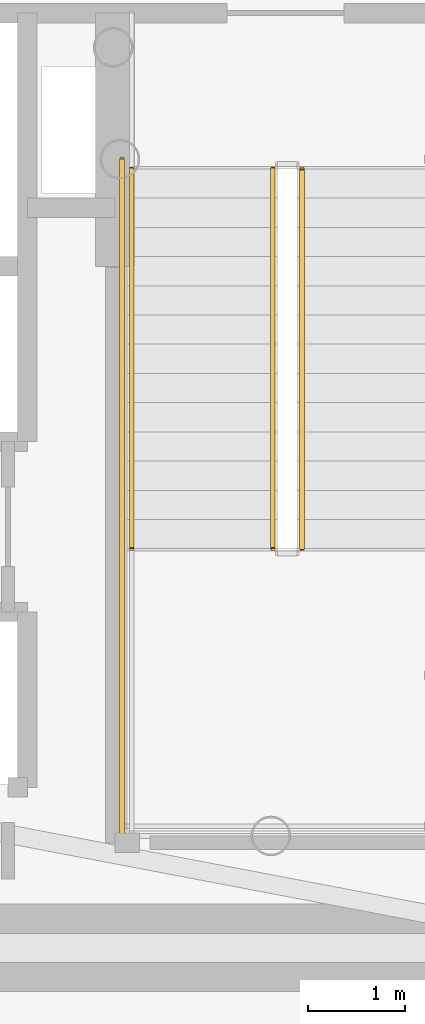
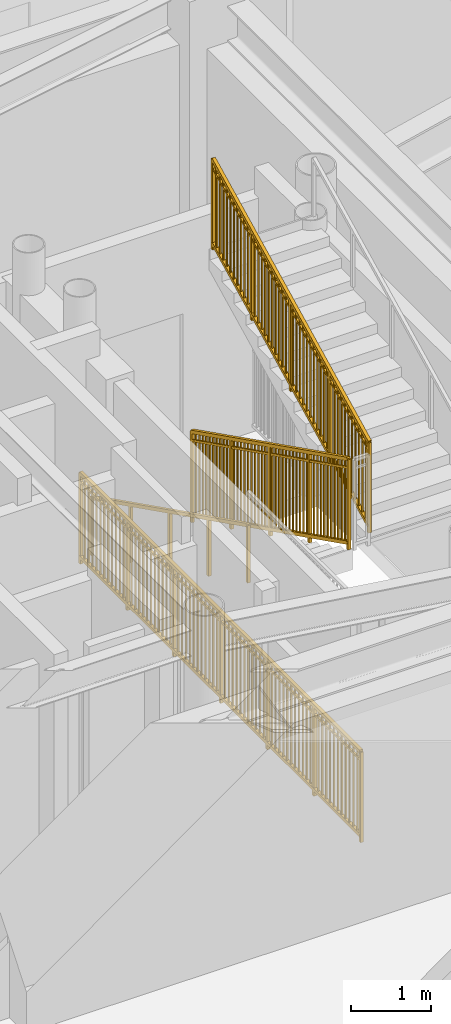
# One storey, part 22 of 24: 4 railings.
"""IFC4 building model written with IfcOpenShell, lengths in metres."""

from ifc_helpers import new_model, si_unit, direction, frame, origin, origin_2d, place, context, subcontext, project, spatial, rectangle, extrude, source, transform, mapped, material, type_object, element, save


model = new_model("IFC4")

# Units and contexts
model_context = context("Model", 3, precision=1e-05, world=origin(), true_north=direction((0.0, 1.0)))
body_context = subcontext(model_context, "Body", "Model", "MODEL_VIEW")
ifc_project = project(units=[si_unit("LENGTHUNIT", "METRE"), si_unit("AREAUNIT", "SQUARE_METRE"), si_unit("VOLUMEUNIT", "CUBIC_METRE"), si_unit("PLANEANGLEUNIT", "RADIAN"), si_unit("MASSUNIT", "GRAM", prefix="KILO")], contexts=[model_context])

# Site, building, storey
site_placement = place(None, origin())
site = spatial("IfcSite", under=ifc_project, at=site_placement, CompositionType="ELEMENT")
building_placement = place(site_placement, origin())
building = spatial("IfcBuilding", under=site, at=building_placement, Name="Linh Dai School and Residence Tower", CompositionType="ELEMENT")
storey_placement = place(building_placement, frame((0.0, 0.0, 74.39990234375)))
storey = spatial("IfcBuildingStorey", under=building, at=storey_placement, Name="L17", CompositionType="ELEMENT", Elevation=74.39990234375)

# Railings
ifc_material_1 = material(Name="Structural Steel S355JR", Category="steel")
railing_type_1 = type_object("IfcRailingType", Name="RL-ST-GUARD-1400", PredefinedType="GUARDRAIL", material=ifc_material_1)
shared_shape_1 = source(origin(), body_context, "Body", "SweptSolid", [
    extrude(rectangle(XDim=0.048095703125, YDim=0.048095703125, at=origin_2d()), frame((0.0, 0.0, 1.3759765625), z_axis=(0.0, -1.0, 0.0), x_axis=(1.0, 0.0, 0.0)), (0.0, 0.0, 1.0), 7.0),
    extrude(rectangle(XDim=0.048095703125, YDim=0.048095703125, at=origin_2d()), frame((0.0, 0.0, 0.10009765625), z_axis=(0.0, -1.0, 0.0), x_axis=(1.0, 0.0, 0.0)), (0.0, 0.0, 1.0), 7.0),
    extrude(rectangle(XDim=0.030029296875, YDim=0.030029296875, at=origin_2d()), frame((0.0, 0.0, 1.239990234375), z_axis=(0.0, -1.0, 0.0), x_axis=(1.0, 0.0, 0.0)), (0.0, 0.0, 1.0), 7.0),
    extrude(rectangle(XDim=0.02001953125, YDim=0.02001953125, at=origin_2d()), frame((0.0, -0.09716796875, 0.10009765625)), (0.0, 0.0, 1.0), 1.251708984375),
    extrude(rectangle(XDim=0.02001953125, YDim=0.02001953125, at=origin_2d()), frame((0.0, -0.1943359375, 0.10009765625)), (0.0, 0.0, 1.0), 1.251708984375),
    extrude(rectangle(XDim=0.02001953125, YDim=0.02001953125, at=origin_2d()), frame((0.0, -0.291748046875, 0.10009765625)), (0.0, 0.0, 1.0), 1.251708984375),
    extrude(rectangle(XDim=0.02001953125, YDim=0.02001953125, at=origin_2d()), frame((0.0, -0.388916015625, 0.10009765625)), (0.0, 0.0, 1.0), 1.251708984375),
    extrude(rectangle(XDim=0.02001953125, YDim=0.02001953125, at=origin_2d()), frame((0.0, -0.486083984375, 0.10009765625)), (0.0, 0.0, 1.0), 1.251708984375),
    extrude(rectangle(XDim=0.02001953125, YDim=0.02001953125, at=origin_2d()), frame((0.0, -0.583251953125, 0.10009765625)), (0.0, 0.0, 1.0), 1.251708984375),
    extrude(rectangle(XDim=0.02001953125, YDim=0.02001953125, at=origin_2d()), frame((0.0, -0.6806640625, 0.10009765625)), (0.0, 0.0, 1.0), 1.251708984375),
    extrude(rectangle(XDim=0.02001953125, YDim=0.02001953125, at=origin_2d()), frame((0.0, -0.77783203125, 0.10009765625)), (0.0, 0.0, 1.0), 1.251708984375),
    extrude(rectangle(XDim=0.02001953125, YDim=0.02001953125, at=origin_2d()), frame((0.0, -0.875, 0.10009765625)), (0.0, 0.0, 1.0), 1.251708984375),
    extrude(rectangle(XDim=0.02001953125, YDim=0.02001953125, at=origin_2d()), frame((0.0, -0.97216796875, 0.10009765625)), (0.0, 0.0, 1.0), 1.251708984375),
    extrude(rectangle(XDim=0.02001953125, YDim=0.02001953125, at=origin_2d()), frame((0.0, -1.0693359375, 0.10009765625)), (0.0, 0.0, 1.0), 1.251708984375),
    extrude(rectangle(XDim=0.02001953125, YDim=0.02001953125, at=origin_2d()), frame((0.0, -1.263916015625, 0.10009765625)), (0.0, 0.0, 1.0), 1.251708984375),
    extrude(rectangle(XDim=0.02001953125, YDim=0.02001953125, at=origin_2d()), frame((0.0, -1.361083984375, 0.10009765625)), (0.0, 0.0, 1.0), 1.251708984375),
    extrude(rectangle(XDim=0.02001953125, YDim=0.02001953125, at=origin_2d()), frame((0.0, -1.458251953125, 0.10009765625)), (0.0, 0.0, 1.0), 1.251708984375),
    extrude(rectangle(XDim=0.02001953125, YDim=0.02001953125, at=origin_2d()), frame((0.0, -1.5556640625, 0.10009765625)), (0.0, 0.0, 1.0), 1.251708984375),
    extrude(rectangle(XDim=0.02001953125, YDim=0.02001953125, at=origin_2d()), frame((0.0, -1.65283203125, 0.10009765625)), (0.0, 0.0, 1.0), 1.251708984375),
    extrude(rectangle(XDim=0.02001953125, YDim=0.02001953125, at=origin_2d()), frame((0.0, -1.75, 0.10009765625)), (0.0, 0.0, 1.0), 1.251708984375),
    extrude(rectangle(XDim=0.02001953125, YDim=0.02001953125, at=origin_2d()), frame((0.0, -1.84716796875, 0.10009765625)), (0.0, 0.0, 1.0), 1.251708984375),
    extrude(rectangle(XDim=0.02001953125, YDim=0.02001953125, at=origin_2d()), frame((0.0, -1.9443359375, 0.10009765625)), (0.0, 0.0, 1.0), 1.251708984375),
    extrude(rectangle(XDim=0.02001953125, YDim=0.02001953125, at=origin_2d()), frame((0.0, -2.041748046875, 0.10009765625)), (0.0, 0.0, 1.0), 1.251708984375),
    extrude(rectangle(XDim=0.02001953125, YDim=0.02001953125, at=origin_2d()), frame((0.0, -2.138916015625, 0.10009765625)), (0.0, 0.0, 1.0), 1.251708984375),
    extrude(rectangle(XDim=0.02001953125, YDim=0.02001953125, at=origin_2d()), frame((0.0, -2.236083984375, 0.10009765625)), (0.0, 0.0, 1.0), 1.251708984375),
    extrude(rectangle(XDim=0.02001953125, YDim=0.02001953125, at=origin_2d()), frame((0.0, -2.4306640625, 0.10009765625)), (0.0, 0.0, 1.0), 1.251708984375),
    extrude(rectangle(XDim=0.02001953125, YDim=0.02001953125, at=origin_2d()), frame((0.0, -2.52783203125, 0.10009765625)), (0.0, 0.0, 1.0), 1.251708984375),
    extrude(rectangle(XDim=0.02001953125, YDim=0.02001953125, at=origin_2d()), frame((0.0, -2.625, 0.10009765625)), (0.0, 0.0, 1.0), 1.251708984375),
    extrude(rectangle(XDim=0.02001953125, YDim=0.02001953125, at=origin_2d()), frame((0.0, -2.72216796875, 0.10009765625)), (0.0, 0.0, 1.0), 1.251708984375),
    extrude(rectangle(XDim=0.02001953125, YDim=0.02001953125, at=origin_2d()), frame((0.0, -2.8193359375, 0.10009765625)), (0.0, 0.0, 1.0), 1.251708984375),
    extrude(rectangle(XDim=0.02001953125, YDim=0.02001953125, at=origin_2d()), frame((0.0, -2.916748046875, 0.10009765625)), (0.0, 0.0, 1.0), 1.251708984375),
    extrude(rectangle(XDim=0.02001953125, YDim=0.02001953125, at=origin_2d()), frame((0.0, -3.013916015625, 0.10009765625)), (0.0, 0.0, 1.0), 1.251708984375),
    extrude(rectangle(XDim=0.02001953125, YDim=0.02001953125, at=origin_2d()), frame((0.0, -3.111083984375, 0.10009765625)), (0.0, 0.0, 1.0), 1.251708984375),
    extrude(rectangle(XDim=0.02001953125, YDim=0.02001953125, at=origin_2d()), frame((0.0, -3.208251953125, 0.10009765625)), (0.0, 0.0, 1.0), 1.251708984375),
    extrude(rectangle(XDim=0.02001953125, YDim=0.02001953125, at=origin_2d()), frame((0.0, -3.3056640625, 0.10009765625)), (0.0, 0.0, 1.0), 1.251708984375),
    extrude(rectangle(XDim=0.02001953125, YDim=0.02001953125, at=origin_2d()), frame((0.0, -3.40283203125, 0.10009765625)), (0.0, 0.0, 1.0), 1.251708984375),
    extrude(rectangle(XDim=0.02001953125, YDim=0.02001953125, at=origin_2d()), frame((0.0, -3.59716796875, 0.10009765625)), (0.0, 0.0, 1.0), 1.251708984375),
    extrude(rectangle(XDim=0.02001953125, YDim=0.02001953125, at=origin_2d()), frame((0.0, -3.6943359375, 0.10009765625)), (0.0, 0.0, 1.0), 1.251708984375),
    extrude(rectangle(XDim=0.02001953125, YDim=0.02001953125, at=origin_2d()), frame((0.0, -3.791748046875, 0.10009765625)), (0.0, 0.0, 1.0), 1.251708984375),
    extrude(rectangle(XDim=0.02001953125, YDim=0.02001953125, at=origin_2d()), frame((0.0, -3.888916015625, 0.10009765625)), (0.0, 0.0, 1.0), 1.251708984375),
    extrude(rectangle(XDim=0.02001953125, YDim=0.02001953125, at=origin_2d()), frame((0.0, -3.986083984375, 0.10009765625)), (0.0, 0.0, 1.0), 1.251708984375),
    extrude(rectangle(XDim=0.02001953125, YDim=0.02001953125, at=origin_2d()), frame((0.0, -4.083251953125, 0.10009765625)), (0.0, 0.0, 1.0), 1.251708984375),
    extrude(rectangle(XDim=0.02001953125, YDim=0.02001953125, at=origin_2d()), frame((0.0, -4.1806640625, 0.10009765625)), (0.0, 0.0, 1.0), 1.251708984375),
    extrude(rectangle(XDim=0.02001953125, YDim=0.02001953125, at=origin_2d()), frame((0.0, -4.27783203125, 0.10009765625)), (0.0, 0.0, 1.0), 1.251708984375),
    extrude(rectangle(XDim=0.02001953125, YDim=0.02001953125, at=origin_2d()), frame((0.0, -4.375, 0.10009765625)), (0.0, 0.0, 1.0), 1.251708984375),
    extrude(rectangle(XDim=0.02001953125, YDim=0.02001953125, at=origin_2d()), frame((0.0, -4.47216796875, 0.10009765625)), (0.0, 0.0, 1.0), 1.251708984375),
    extrude(rectangle(XDim=0.02001953125, YDim=0.02001953125, at=origin_2d()), frame((0.0, -4.5693359375, 0.10009765625)), (0.0, 0.0, 1.0), 1.251708984375),
    extrude(rectangle(XDim=0.02001953125, YDim=0.02001953125, at=origin_2d()), frame((0.0, -4.763916015625, 0.10009765625)), (0.0, 0.0, 1.0), 1.251708984375),
    extrude(rectangle(XDim=0.02001953125, YDim=0.02001953125, at=origin_2d()), frame((0.0, -4.861083984375, 0.10009765625)), (0.0, 0.0, 1.0), 1.251708984375),
    extrude(rectangle(XDim=0.02001953125, YDim=0.02001953125, at=origin_2d()), frame((0.0, -4.958251953125, 0.10009765625)), (0.0, 0.0, 1.0), 1.251708984375),
    extrude(rectangle(XDim=0.02001953125, YDim=0.02001953125, at=origin_2d()), frame((0.0, -5.0556640625, 0.10009765625)), (0.0, 0.0, 1.0), 1.251708984375),
    extrude(rectangle(XDim=0.02001953125, YDim=0.02001953125, at=origin_2d()), frame((0.0, -5.15283203125, 0.10009765625)), (0.0, 0.0, 1.0), 1.251708984375),
    extrude(rectangle(XDim=0.02001953125, YDim=0.02001953125, at=origin_2d()), frame((0.0, -5.25, 0.10009765625)), (0.0, 0.0, 1.0), 1.251708984375),
    extrude(rectangle(XDim=0.02001953125, YDim=0.02001953125, at=origin_2d()), frame((0.0, -5.34716796875, 0.10009765625)), (0.0, 0.0, 1.0), 1.251708984375),
    extrude(rectangle(XDim=0.02001953125, YDim=0.02001953125, at=origin_2d()), frame((0.0, -5.4443359375, 0.10009765625)), (0.0, 0.0, 1.0), 1.251708984375),
    extrude(rectangle(XDim=0.02001953125, YDim=0.02001953125, at=origin_2d()), frame((0.0, -5.541748046875, 0.10009765625)), (0.0, 0.0, 1.0), 1.251708984375),
    extrude(rectangle(XDim=0.02001953125, YDim=0.02001953125, at=origin_2d()), frame((0.0, -5.638916015625, 0.10009765625)), (0.0, 0.0, 1.0), 1.251708984375),
    extrude(rectangle(XDim=0.02001953125, YDim=0.02001953125, at=origin_2d()), frame((0.0, -5.736083984375, 0.10009765625)), (0.0, 0.0, 1.0), 1.251708984375),
    extrude(rectangle(XDim=0.02001953125, YDim=0.02001953125, at=origin_2d()), frame((0.0, -5.9306640625, 0.10009765625)), (0.0, 0.0, 1.0), 1.251708984375),
    extrude(rectangle(XDim=0.02001953125, YDim=0.02001953125, at=origin_2d()), frame((0.0, -6.02783203125, 0.10009765625)), (0.0, 0.0, 1.0), 1.251708984375),
    extrude(rectangle(XDim=0.02001953125, YDim=0.02001953125, at=origin_2d()), frame((0.0, -6.125, 0.10009765625)), (0.0, 0.0, 1.0), 1.251708984375),
    extrude(rectangle(XDim=0.02001953125, YDim=0.02001953125, at=origin_2d()), frame((0.0, -6.22216796875, 0.10009765625)), (0.0, 0.0, 1.0), 1.251708984375),
    extrude(rectangle(XDim=0.02001953125, YDim=0.02001953125, at=origin_2d()), frame((0.0, -6.3193359375, 0.10009765625)), (0.0, 0.0, 1.0), 1.251708984375),
    extrude(rectangle(XDim=0.02001953125, YDim=0.02001953125, at=origin_2d()), frame((0.0, -6.416748046875, 0.10009765625)), (0.0, 0.0, 1.0), 1.251708984375),
    extrude(rectangle(XDim=0.02001953125, YDim=0.02001953125, at=origin_2d()), frame((0.0, -6.513916015625, 0.10009765625)), (0.0, 0.0, 1.0), 1.251708984375),
    extrude(rectangle(XDim=0.02001953125, YDim=0.02001953125, at=origin_2d()), frame((0.0, -6.611083984375, 0.10009765625)), (0.0, 0.0, 1.0), 1.251708984375),
    extrude(rectangle(XDim=0.02001953125, YDim=0.02001953125, at=origin_2d()), frame((0.0, -6.708251953125, 0.10009765625)), (0.0, 0.0, 1.0), 1.251708984375),
    extrude(rectangle(XDim=0.02001953125, YDim=0.02001953125, at=origin_2d()), frame((0.0, -6.8056640625, 0.10009765625)), (0.0, 0.0, 1.0), 1.251708984375),
    extrude(rectangle(XDim=0.02001953125, YDim=0.02001953125, at=origin_2d()), frame((0.0, -6.90283203125, 0.10009765625)), (0.0, 0.0, 1.0), 1.251708984375),
    extrude(rectangle(XDim=0.0419921875, YDim=0.0419921875, at=origin_2d()), origin(), (0.0, 0.0, 1.0), 1.3759765625),
    extrude(rectangle(XDim=0.0419921875, YDim=0.0419921875, at=origin_2d()), frame((0.0, -1.166748046875, 0.0)), (0.0, 0.0, 1.0), 1.3759765625),
    extrude(rectangle(XDim=0.0419921875, YDim=0.0419921875, at=origin_2d()), frame((0.0, -2.333251953125, 0.0)), (0.0, 0.0, 1.0), 1.3759765625),
    extrude(rectangle(XDim=0.0419921875, YDim=0.0419921875, at=origin_2d()), frame((0.0, -3.5, 0.0)), (0.0, 0.0, 1.0), 1.3759765625),
    extrude(rectangle(XDim=0.0419921875, YDim=0.0419921875, at=origin_2d()), frame((0.0, -4.666748046875, 0.0)), (0.0, 0.0, 1.0), 1.3759765625),
    extrude(rectangle(XDim=0.0419921875, YDim=0.0419921875, at=origin_2d()), frame((0.0, -5.833251953125, 0.0)), (0.0, 0.0, 1.0), 1.3759765625),
    extrude(rectangle(XDim=0.0419921875, YDim=0.0419921875, at=origin_2d()), frame((0.0, -7.0, 0.0)), (0.0, 0.0, 1.0), 1.3759765625),
])
railing_1_placement = place(storey_placement, frame((40.969970703125, 28.35009765625, 0.0)))
element("IfcRailing", 1, at=railing_1_placement, inside=storey, type_object=railing_type_1, Name="L17 ST2 stair guard 10", PredefinedType="GUARDRAIL", context=body_context, shape_type="MappedRepresentation", body=[
    mapped(shared_shape_1, transform((0.0, 0.0, 0.0), x_axis=(1.0, 0.0, 0.0), y_axis=(0.0, 1.0, 0.0), z_axis=(0.0, 0.0, 1.0), scale=1.0)),
])
shared_shape_2 = source(origin(), body_context, "Body", "SweptSolid", [
    extrude(rectangle(XDim=0.048095703125, YDim=0.048095703125, at=origin_2d()), frame((0.0, 0.0, 1.3759765625), z_axis=(0.0, -0.894427191, 0.4472135955), x_axis=(1.0, 0.0, 0.0)), (0.0, 0.0, 1.0), 4.360107421875),
    extrude(rectangle(XDim=0.048095703125, YDim=0.048095703125, at=origin_2d()), frame((0.0, 0.0, 0.10009765625), z_axis=(0.0, -0.894427191, 0.4472135955), x_axis=(1.0, 0.0, 0.0)), (0.0, 0.0, 1.0), 4.360107421875),
    extrude(rectangle(XDim=0.030029296875, YDim=0.030029296875, at=origin_2d()), frame((0.0, 0.0, 1.239990234375), z_axis=(0.0, -0.894427191, 0.4472135955), x_axis=(1.0, 0.0, 0.0)), (0.0, 0.0, 1.0), 4.360107421875),
    extrude(rectangle(XDim=0.02001953125, YDim=0.02001953125, at=origin_2d()), frame((0.0, -0.086669921875, 0.143310546875)), (0.0, 0.0, 1.0), 1.251708984375),
    extrude(rectangle(XDim=0.02001953125, YDim=0.02001953125, at=origin_2d()), frame((0.0, -0.17333984375, 0.186767578125)), (0.0, 0.0, 1.0), 1.251708984375),
    extrude(rectangle(XDim=0.02001953125, YDim=0.02001953125, at=origin_2d()), frame((0.0, -0.260009765625, 0.22998046875)), (0.0, 0.0, 1.0), 1.251708984375),
    extrude(rectangle(XDim=0.02001953125, YDim=0.02001953125, at=origin_2d()), frame((0.0, -0.3466796875, 0.2734375)), (0.0, 0.0, 1.0), 1.251708984375),
    extrude(rectangle(XDim=0.02001953125, YDim=0.02001953125, at=origin_2d()), frame((0.0, -0.433349609375, 0.316650390625)), (0.0, 0.0, 1.0), 1.251708984375),
    extrude(rectangle(XDim=0.02001953125, YDim=0.02001953125, at=origin_2d()), frame((0.0, -0.52001953125, 0.360107421875)), (0.0, 0.0, 1.0), 1.251708984375),
    extrude(rectangle(XDim=0.02001953125, YDim=0.02001953125, at=origin_2d()), frame((0.0, -0.606689453125, 0.4033203125)), (0.0, 0.0, 1.0), 1.251708984375),
    extrude(rectangle(XDim=0.02001953125, YDim=0.02001953125, at=origin_2d()), frame((0.0, -0.693359375, 0.44677734375)), (0.0, 0.0, 1.0), 1.251708984375),
    extrude(rectangle(XDim=0.02001953125, YDim=0.02001953125, at=origin_2d()), frame((0.0, -0.780029296875, 0.489990234375)), (0.0, 0.0, 1.0), 1.251708984375),
    extrude(rectangle(XDim=0.02001953125, YDim=0.02001953125, at=origin_2d()), frame((0.0, -0.86669921875, 0.533447265625)), (0.0, 0.0, 1.0), 1.251708984375),
    extrude(rectangle(XDim=0.02001953125, YDim=0.02001953125, at=origin_2d()), frame((0.0, -1.0400390625, 0.6201171875)), (0.0, 0.0, 1.0), 1.251708984375),
    extrude(rectangle(XDim=0.02001953125, YDim=0.02001953125, at=origin_2d()), frame((0.0, -1.126708984375, 0.663330078125)), (0.0, 0.0, 1.0), 1.251708984375),
    extrude(rectangle(XDim=0.02001953125, YDim=0.02001953125, at=origin_2d()), frame((0.0, -1.21337890625, 0.706787109375)), (0.0, 0.0, 1.0), 1.251708984375),
    extrude(rectangle(XDim=0.02001953125, YDim=0.02001953125, at=origin_2d()), frame((0.0, -1.300048828125, 0.75)), (0.0, 0.0, 1.0), 1.251708984375),
    extrude(rectangle(XDim=0.02001953125, YDim=0.02001953125, at=origin_2d()), frame((0.0, -1.38671875, 0.79345703125)), (0.0, 0.0, 1.0), 1.251708984375),
    extrude(rectangle(XDim=0.02001953125, YDim=0.02001953125, at=origin_2d()), frame((0.0, -1.473388671875, 0.836669921875)), (0.0, 0.0, 1.0), 1.251708984375),
    extrude(rectangle(XDim=0.02001953125, YDim=0.02001953125, at=origin_2d()), frame((0.0, -1.56005859375, 0.880126953125)), (0.0, 0.0, 1.0), 1.251708984375),
    extrude(rectangle(XDim=0.02001953125, YDim=0.02001953125, at=origin_2d()), frame((0.0, -1.646728515625, 0.92333984375)), (0.0, 0.0, 1.0), 1.251708984375),
    extrude(rectangle(XDim=0.02001953125, YDim=0.02001953125, at=origin_2d()), frame((0.0, -1.7333984375, 0.966796875)), (0.0, 0.0, 1.0), 1.251708984375),
    extrude(rectangle(XDim=0.02001953125, YDim=0.02001953125, at=origin_2d()), frame((0.0, -1.820068359375, 1.010009765625)), (0.0, 0.0, 1.0), 1.251708984375),
    extrude(rectangle(XDim=0.02001953125, YDim=0.02001953125, at=origin_2d()), frame((0.0, -1.90673828125, 1.053466796875)), (0.0, 0.0, 1.0), 1.251708984375),
    extrude(rectangle(XDim=0.02001953125, YDim=0.02001953125, at=origin_2d()), frame((0.0, -1.9931640625, 1.0966796875)), (0.0, 0.0, 1.0), 1.251708984375),
    extrude(rectangle(XDim=0.02001953125, YDim=0.02001953125, at=origin_2d()), frame((0.0, -2.079833984375, 1.14013671875)), (0.0, 0.0, 1.0), 1.251708984375),
    extrude(rectangle(XDim=0.02001953125, YDim=0.02001953125, at=origin_2d()), frame((0.0, -2.16650390625, 1.183349609375)), (0.0, 0.0, 1.0), 1.251708984375),
    extrude(rectangle(XDim=0.02001953125, YDim=0.02001953125, at=origin_2d()), frame((0.0, -2.253173828125, 1.226806640625)), (0.0, 0.0, 1.0), 1.251708984375),
    extrude(rectangle(XDim=0.02001953125, YDim=0.02001953125, at=origin_2d()), frame((0.0, -2.33984375, 1.27001953125)), (0.0, 0.0, 1.0), 1.251708984375),
    extrude(rectangle(XDim=0.02001953125, YDim=0.02001953125, at=origin_2d()), frame((0.0, -2.426513671875, 1.3134765625)), (0.0, 0.0, 1.0), 1.251708984375),
    extrude(rectangle(XDim=0.02001953125, YDim=0.02001953125, at=origin_2d()), frame((0.0, -2.51318359375, 1.356689453125)), (0.0, 0.0, 1.0), 1.251708984375),
    extrude(rectangle(XDim=0.02001953125, YDim=0.02001953125, at=origin_2d()), frame((0.0, -2.599853515625, 1.400146484375)), (0.0, 0.0, 1.0), 1.251708984375),
    extrude(rectangle(XDim=0.02001953125, YDim=0.02001953125, at=origin_2d()), frame((0.0, -2.6865234375, 1.443359375)), (0.0, 0.0, 1.0), 1.251708984375),
    extrude(rectangle(XDim=0.02001953125, YDim=0.02001953125, at=origin_2d()), frame((0.0, -2.773193359375, 1.48681640625)), (0.0, 0.0, 1.0), 1.251708984375),
    extrude(rectangle(XDim=0.02001953125, YDim=0.02001953125, at=origin_2d()), frame((0.0, -2.85986328125, 1.530029296875)), (0.0, 0.0, 1.0), 1.251708984375),
    extrude(rectangle(XDim=0.02001953125, YDim=0.02001953125, at=origin_2d()), frame((0.0, -3.033203125, 1.61669921875)), (0.0, 0.0, 1.0), 1.251708984375),
    extrude(rectangle(XDim=0.02001953125, YDim=0.02001953125, at=origin_2d()), frame((0.0, -3.119873046875, 1.66015625)), (0.0, 0.0, 1.0), 1.251708984375),
    extrude(rectangle(XDim=0.02001953125, YDim=0.02001953125, at=origin_2d()), frame((0.0, -3.20654296875, 1.703369140625)), (0.0, 0.0, 1.0), 1.251708984375),
    extrude(rectangle(XDim=0.02001953125, YDim=0.02001953125, at=origin_2d()), frame((0.0, -3.293212890625, 1.746826171875)), (0.0, 0.0, 1.0), 1.251708984375),
    extrude(rectangle(XDim=0.02001953125, YDim=0.02001953125, at=origin_2d()), frame((0.0, -3.3798828125, 1.7900390625)), (0.0, 0.0, 1.0), 1.251708984375),
    extrude(rectangle(XDim=0.02001953125, YDim=0.02001953125, at=origin_2d()), frame((0.0, -3.466552734375, 1.83349609375)), (0.0, 0.0, 1.0), 1.251708984375),
    extrude(rectangle(XDim=0.02001953125, YDim=0.02001953125, at=origin_2d()), frame((0.0, -3.55322265625, 1.876708984375)), (0.0, 0.0, 1.0), 1.251708984375),
    extrude(rectangle(XDim=0.02001953125, YDim=0.02001953125, at=origin_2d()), frame((0.0, -3.639892578125, 1.920166015625)), (0.0, 0.0, 1.0), 1.251708984375),
    extrude(rectangle(XDim=0.02001953125, YDim=0.02001953125, at=origin_2d()), frame((0.0, -3.7265625, 1.96337890625)), (0.0, 0.0, 1.0), 1.251708984375),
    extrude(rectangle(XDim=0.02001953125, YDim=0.02001953125, at=origin_2d()), frame((0.0, -3.813232421875, 2.0068359375)), (0.0, 0.0, 1.0), 1.251708984375),
    extrude(rectangle(XDim=0.0419921875, YDim=0.0419921875, at=origin_2d()), origin(), (0.0, 0.0, 1.0), 1.3759765625),
    extrude(rectangle(XDim=0.0419921875, YDim=0.0419921875, at=origin_2d()), frame((0.0, -0.97509765625, 0.487548828125)), (0.0, 0.0, 1.0), 1.3759765625),
    extrude(rectangle(XDim=0.0419921875, YDim=0.0419921875, at=origin_2d()), frame((0.0, -1.949951171875, 0.97509765625)), (0.0, 0.0, 1.0), 1.3759765625),
    extrude(rectangle(XDim=0.0419921875, YDim=0.0419921875, at=origin_2d()), frame((0.0, -2.9248046875, 1.46240234375)), (0.0, 0.0, 1.0), 1.3759765625),
    extrude(rectangle(XDim=0.0419921875, YDim=0.0419921875, at=origin_2d()), frame((0.0, -3.89990234375, 1.949951171875)), (0.0, 0.0, 1.0), 1.3759765625),
])
railing_2_placement = place(storey_placement, frame((42.52001953125, 28.25, 0.150146484375)))
element("IfcRailing", 2, at=railing_2_placement, inside=storey, type_object=railing_type_1, Name="L17 ST2 stair guard 1", PredefinedType="GUARDRAIL", context=body_context, shape_type="MappedRepresentation", body=[
    mapped(shared_shape_2, transform((0.0, 0.0, 0.0), x_axis=(1.0, 0.0, 0.0), y_axis=(0.0, 1.0, 0.0), z_axis=(0.0, 0.0, 1.0), scale=1.0)),
])
ifc_material_2 = material(Name="Brushed Stainless Steel Handrail", Category="steel")
railing_type_2 = type_object("IfcRailingType", Name="RL-ST-HANDRAIL-900", PredefinedType="HANDRAIL", material=ifc_material_2)
shared_shape_3 = source(origin(), body_context, "Body", "SweptSolid", [
    extrude(rectangle(XDim=0.048095703125, YDim=0.048095703125, at=origin_2d()), frame((0.0, 0.0, 0.8759765625), z_axis=(0.0, -0.894427191, 0.4472135955), x_axis=(1.0, 0.0, 0.0)), (0.0, 0.0, 1.0), 4.360107421875),
    extrude(rectangle(XDim=0.0419921875, YDim=0.0419921875, at=origin_2d()), origin(), (0.0, 0.0, 1.0), 0.8759765625),
    extrude(rectangle(XDim=0.0419921875, YDim=0.0419921875, at=origin_2d()), frame((0.0, -0.97509765625, 0.487548828125)), (0.0, 0.0, 1.0), 0.8759765625),
    extrude(rectangle(XDim=0.0419921875, YDim=0.0419921875, at=origin_2d()), frame((0.0, -1.949951171875, 0.97509765625)), (0.0, 0.0, 1.0), 0.8759765625),
    extrude(rectangle(XDim=0.0419921875, YDim=0.0419921875, at=origin_2d()), frame((0.0, -2.9248046875, 1.46240234375)), (0.0, 0.0, 1.0), 0.8759765625),
    extrude(rectangle(XDim=0.0419921875, YDim=0.0419921875, at=origin_2d()), frame((0.0, -3.89990234375, 1.949951171875)), (0.0, 0.0, 1.0), 0.8759765625),
])
railing_3_placement = place(storey_placement, frame((41.070068359375, 28.25, 0.150146484375)))
element("IfcRailing", 3, at=railing_3_placement, inside=storey, type_object=railing_type_2, Name="L17 ST2 stair handrail 1", PredefinedType="HANDRAIL", context=body_context, shape_type="MappedRepresentation", body=[
    mapped(shared_shape_3, transform((0.0, 0.0, 0.0), x_axis=(1.0, 0.0, 0.0), y_axis=(0.0, 1.0, 0.0), z_axis=(0.0, 0.0, 1.0), scale=1.0)),
])
shared_shape_4 = source(origin(), body_context, "Body", "SweptSolid", [
    extrude(rectangle(XDim=0.048095703125, YDim=0.048095703125, at=origin_2d()), frame((0.0, 0.0, 1.3759765625), z_axis=(0.0, 0.894404793364, 0.447258387967), x_axis=(-1.0, 0.0, 0.0)), (0.0, 0.0, 1.0), 4.3603515625),
    extrude(rectangle(XDim=0.048095703125, YDim=0.048095703125, at=origin_2d()), frame((0.0, 0.0, 0.10009765625), z_axis=(0.0, 0.894404793364, 0.447258387967), x_axis=(-1.0, 0.0, 0.0)), (0.0, 0.0, 1.0), 4.3603515625),
    extrude(rectangle(XDim=0.030029296875, YDim=0.030029296875, at=origin_2d()), frame((0.0, 0.0, 1.239990234375), z_axis=(0.0, 0.894404793364, 0.447258387967), x_axis=(-1.0, 0.0, 0.0)), (0.0, 0.0, 1.0), 4.3603515625),
    extrude(rectangle(XDim=0.02001953125, YDim=0.02001953125, at=origin_2d()), frame((0.0, 0.086669921875, 0.1435546875)), (0.0, 0.0, 1.0), 1.251708984375),
    extrude(rectangle(XDim=0.02001953125, YDim=0.02001953125, at=origin_2d()), frame((0.0, 0.17333984375, 0.186767578125)), (0.0, 0.0, 1.0), 1.251708984375),
    extrude(rectangle(XDim=0.02001953125, YDim=0.02001953125, at=origin_2d()), frame((0.0, 0.260009765625, 0.230224609375)), (0.0, 0.0, 1.0), 1.251708984375),
    extrude(rectangle(XDim=0.02001953125, YDim=0.02001953125, at=origin_2d()), frame((0.0, 0.3466796875, 0.2734375)), (0.0, 0.0, 1.0), 1.251708984375),
    extrude(rectangle(XDim=0.02001953125, YDim=0.02001953125, at=origin_2d()), frame((0.0, 0.433349609375, 0.31689453125)), (0.0, 0.0, 1.0), 1.251708984375),
    extrude(rectangle(XDim=0.02001953125, YDim=0.02001953125, at=origin_2d()), frame((0.0, 0.52001953125, 0.360107421875)), (0.0, 0.0, 1.0), 1.251708984375),
    extrude(rectangle(XDim=0.02001953125, YDim=0.02001953125, at=origin_2d()), frame((0.0, 0.606689453125, 0.403564453125)), (0.0, 0.0, 1.0), 1.251708984375),
    extrude(rectangle(XDim=0.02001953125, YDim=0.02001953125, at=origin_2d()), frame((0.0, 0.693359375, 0.44677734375)), (0.0, 0.0, 1.0), 1.251708984375),
    extrude(rectangle(XDim=0.02001953125, YDim=0.02001953125, at=origin_2d()), frame((0.0, 0.780029296875, 0.490234375)), (0.0, 0.0, 1.0), 1.251708984375),
    extrude(rectangle(XDim=0.02001953125, YDim=0.02001953125, at=origin_2d()), frame((0.0, 0.86669921875, 0.533447265625)), (0.0, 0.0, 1.0), 1.251708984375),
    extrude(rectangle(XDim=0.02001953125, YDim=0.02001953125, at=origin_2d()), frame((0.0, 1.0400390625, 0.6201171875)), (0.0, 0.0, 1.0), 1.251708984375),
    extrude(rectangle(XDim=0.02001953125, YDim=0.02001953125, at=origin_2d()), frame((0.0, 1.126708984375, 0.66357421875)), (0.0, 0.0, 1.0), 1.251708984375),
    extrude(rectangle(XDim=0.02001953125, YDim=0.02001953125, at=origin_2d()), frame((0.0, 1.21337890625, 0.706787109375)), (0.0, 0.0, 1.0), 1.251708984375),
    extrude(rectangle(XDim=0.02001953125, YDim=0.02001953125, at=origin_2d()), frame((0.0, 1.300048828125, 0.750244140625)), (0.0, 0.0, 1.0), 1.251708984375),
    extrude(rectangle(XDim=0.02001953125, YDim=0.02001953125, at=origin_2d()), frame((0.0, 1.38671875, 0.79345703125)), (0.0, 0.0, 1.0), 1.251708984375),
    extrude(rectangle(XDim=0.02001953125, YDim=0.02001953125, at=origin_2d()), frame((0.0, 1.473388671875, 0.8369140625)), (0.0, 0.0, 1.0), 1.251708984375),
    extrude(rectangle(XDim=0.02001953125, YDim=0.02001953125, at=origin_2d()), frame((0.0, 1.56005859375, 0.880126953125)), (0.0, 0.0, 1.0), 1.251708984375),
    extrude(rectangle(XDim=0.02001953125, YDim=0.02001953125, at=origin_2d()), frame((0.0, 1.646728515625, 0.923583984375)), (0.0, 0.0, 1.0), 1.251708984375),
    extrude(rectangle(XDim=0.02001953125, YDim=0.02001953125, at=origin_2d()), frame((0.0, 1.7333984375, 0.966796875)), (0.0, 0.0, 1.0), 1.251708984375),
    extrude(rectangle(XDim=0.02001953125, YDim=0.02001953125, at=origin_2d()), frame((0.0, 1.820068359375, 1.01025390625)), (0.0, 0.0, 1.0), 1.251708984375),
    extrude(rectangle(XDim=0.02001953125, YDim=0.02001953125, at=origin_2d()), frame((0.0, 1.90673828125, 1.053466796875)), (0.0, 0.0, 1.0), 1.251708984375),
    extrude(rectangle(XDim=0.02001953125, YDim=0.02001953125, at=origin_2d()), frame((0.0, 1.9931640625, 1.096923828125)), (0.0, 0.0, 1.0), 1.251708984375),
    extrude(rectangle(XDim=0.02001953125, YDim=0.02001953125, at=origin_2d()), frame((0.0, 2.079833984375, 1.14013671875)), (0.0, 0.0, 1.0), 1.251708984375),
    extrude(rectangle(XDim=0.02001953125, YDim=0.02001953125, at=origin_2d()), frame((0.0, 2.16650390625, 1.18359375)), (0.0, 0.0, 1.0), 1.251708984375),
    extrude(rectangle(XDim=0.02001953125, YDim=0.02001953125, at=origin_2d()), frame((0.0, 2.253173828125, 1.226806640625)), (0.0, 0.0, 1.0), 1.251708984375),
    extrude(rectangle(XDim=0.02001953125, YDim=0.02001953125, at=origin_2d()), frame((0.0, 2.33984375, 1.270263671875)), (0.0, 0.0, 1.0), 1.251708984375),
    extrude(rectangle(XDim=0.02001953125, YDim=0.02001953125, at=origin_2d()), frame((0.0, 2.426513671875, 1.3134765625)), (0.0, 0.0, 1.0), 1.251708984375),
    extrude(rectangle(XDim=0.02001953125, YDim=0.02001953125, at=origin_2d()), frame((0.0, 2.51318359375, 1.35693359375)), (0.0, 0.0, 1.0), 1.251708984375),
    extrude(rectangle(XDim=0.02001953125, YDim=0.02001953125, at=origin_2d()), frame((0.0, 2.599853515625, 1.400146484375)), (0.0, 0.0, 1.0), 1.251708984375),
    extrude(rectangle(XDim=0.02001953125, YDim=0.02001953125, at=origin_2d()), frame((0.0, 2.6865234375, 1.443603515625)), (0.0, 0.0, 1.0), 1.251708984375),
    extrude(rectangle(XDim=0.02001953125, YDim=0.02001953125, at=origin_2d()), frame((0.0, 2.773193359375, 1.48681640625)), (0.0, 0.0, 1.0), 1.251708984375),
    extrude(rectangle(XDim=0.02001953125, YDim=0.02001953125, at=origin_2d()), frame((0.0, 2.85986328125, 1.5302734375)), (0.0, 0.0, 1.0), 1.251708984375),
    extrude(rectangle(XDim=0.02001953125, YDim=0.02001953125, at=origin_2d()), frame((0.0, 3.033203125, 1.616943359375)), (0.0, 0.0, 1.0), 1.251708984375),
    extrude(rectangle(XDim=0.02001953125, YDim=0.02001953125, at=origin_2d()), frame((0.0, 3.119873046875, 1.66015625)), (0.0, 0.0, 1.0), 1.251708984375),
    extrude(rectangle(XDim=0.02001953125, YDim=0.02001953125, at=origin_2d()), frame((0.0, 3.20654296875, 1.70361328125)), (0.0, 0.0, 1.0), 1.251708984375),
    extrude(rectangle(XDim=0.02001953125, YDim=0.02001953125, at=origin_2d()), frame((0.0, 3.293212890625, 1.746826171875)), (0.0, 0.0, 1.0), 1.251708984375),
    extrude(rectangle(XDim=0.02001953125, YDim=0.02001953125, at=origin_2d()), frame((0.0, 3.3798828125, 1.790283203125)), (0.0, 0.0, 1.0), 1.251708984375),
    extrude(rectangle(XDim=0.02001953125, YDim=0.02001953125, at=origin_2d()), frame((0.0, 3.466552734375, 1.83349609375)), (0.0, 0.0, 1.0), 1.251708984375),
    extrude(rectangle(XDim=0.02001953125, YDim=0.02001953125, at=origin_2d()), frame((0.0, 3.55322265625, 1.876953125)), (0.0, 0.0, 1.0), 1.251708984375),
    extrude(rectangle(XDim=0.02001953125, YDim=0.02001953125, at=origin_2d()), frame((0.0, 3.639892578125, 1.920166015625)), (0.0, 0.0, 1.0), 1.251708984375),
    extrude(rectangle(XDim=0.02001953125, YDim=0.02001953125, at=origin_2d()), frame((0.0, 3.7265625, 1.963623046875)), (0.0, 0.0, 1.0), 1.251708984375),
    extrude(rectangle(XDim=0.02001953125, YDim=0.02001953125, at=origin_2d()), frame((0.0, 3.813232421875, 2.0068359375)), (0.0, 0.0, 1.0), 1.251708984375),
    extrude(rectangle(XDim=0.0419921875, YDim=0.0419921875, at=origin_2d()), origin(), (0.0, 0.0, 1.0), 1.3759765625),
    extrude(rectangle(XDim=0.0419921875, YDim=0.0419921875, at=origin_2d()), frame((0.0, 0.97509765625, 0.487548828125)), (0.0, 0.0, 1.0), 1.3759765625),
    extrude(rectangle(XDim=0.0419921875, YDim=0.0419921875, at=origin_2d()), frame((0.0, 1.949951171875, 0.97509765625)), (0.0, 0.0, 1.0), 1.3759765625),
    extrude(rectangle(XDim=0.0419921875, YDim=0.0419921875, at=origin_2d()), frame((0.0, 2.9248046875, 1.462646484375)), (0.0, 0.0, 1.0), 1.3759765625),
    extrude(rectangle(XDim=0.0419921875, YDim=0.0419921875, at=origin_2d()), frame((0.0, 3.89990234375, 1.9501953125)), (0.0, 0.0, 1.0), 1.3759765625),
])
railing_4_placement = place(storey_placement, frame((42.820068359375, 24.35009765625, 2.25)))
element("IfcRailing", 4, at=railing_4_placement, inside=storey, type_object=railing_type_1, Name="L17 ST2 stair guard 6", PredefinedType="GUARDRAIL", context=body_context, shape_type="MappedRepresentation", body=[
    mapped(shared_shape_4, transform((0.0, 0.0, 0.0), x_axis=(1.0, 0.0, 0.0), y_axis=(0.0, 1.0, 0.0), z_axis=(0.0, 0.0, 1.0), scale=1.0)),
])

save(model, "model.ifc")
